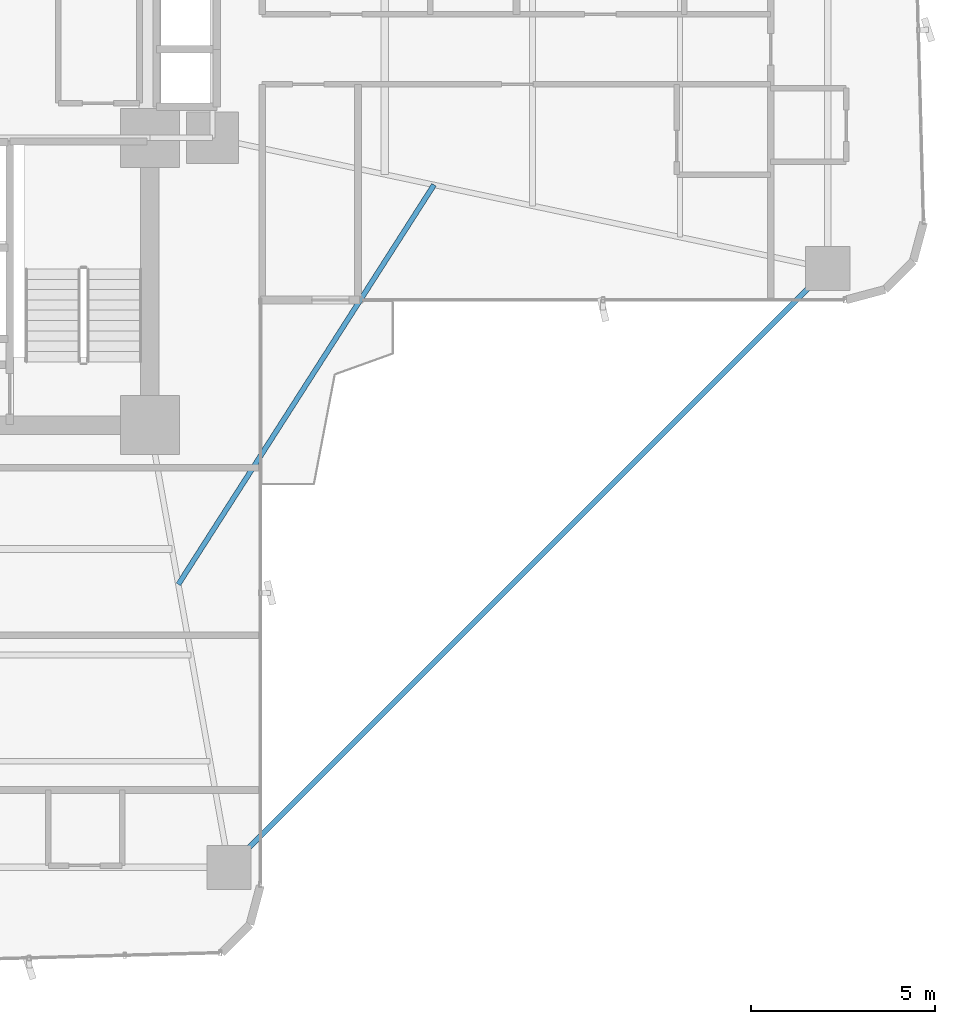
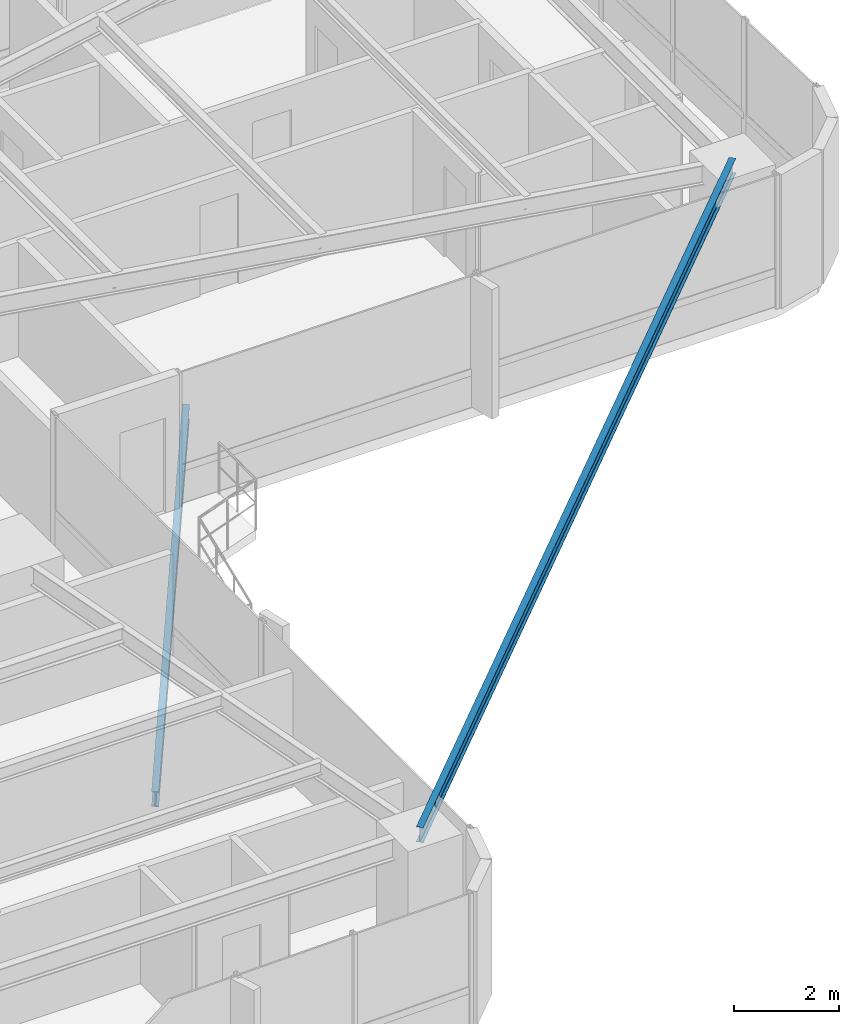
# One storey, part 13 of 25: 2 beams.
"""IFC4 building model written with IfcOpenShell, lengths in metres."""

from ifc_helpers import new_model, si_unit, direction, frame, origin, origin_2d, place, context, subcontext, project, spatial, i_section, extrude, source, transform, mapped, material, material_profile, profile_set, type_object, element, save


model = new_model("IFC4")

# Units and contexts
model_context = context("Model", 3, precision=1e-05, world=origin(), true_north=direction((0.0, 1.0)))
body_context = subcontext(model_context, "Body", "Model", "MODEL_VIEW")
ifc_project = project(units=[si_unit("LENGTHUNIT", "METRE"), si_unit("AREAUNIT", "SQUARE_METRE"), si_unit("VOLUMEUNIT", "CUBIC_METRE"), si_unit("PLANEANGLEUNIT", "RADIAN"), si_unit("MASSUNIT", "GRAM", prefix="KILO")], contexts=[model_context])

# Site, building, storey
site_placement = place(None, origin())
site = spatial("IfcSite", under=ifc_project, at=site_placement, CompositionType="ELEMENT")
building_placement = place(site_placement, origin())
building = spatial("IfcBuilding", under=site, at=building_placement, Name="Sahyath Konkavel Grand Hotel", CompositionType="ELEMENT")
storey_placement = place(building_placement, frame((0.0, 0.0, 33.14990234375)))
storey = spatial("IfcBuildingStorey", under=building, at=storey_placement, Name="L08", CompositionType="ELEMENT", Elevation=33.14990234375)

# Beams
ifc_material = material(Name="Steel E350", Category="steel")
ifc_material_profile_1 = material_profile(ifc_material, i_section(OverallWidth=0.139892578125, OverallDepth=0.35009765625, WebThickness=0.008056640625, FlangeThickness=0.01416015625, FilletRadius=0.013916015625, at=origin_2d()), Name="ISMB 350")
ifc_profile_set_1 = profile_set([ifc_material_profile_1], Name="Steel E350")
beam_type_1 = type_object("IfcBeamType", Name="BM-ISMB350", PredefinedType="BEAM", material=ifc_profile_set_1)
shared_shape_1 = source(origin(), body_context, "Body", "SweptSolid", [
    extrude(i_section(OverallWidth=0.139892578125, OverallDepth=0.35009765625, WebThickness=0.008056640625, FlangeThickness=0.01416015625, FilletRadius=0.013916015625, at=origin_2d()), origin(), (0.0, 0.0, 1.0), 22.98095703125),
])
beam_1_placement = place(storey_placement, frame((22.199951171875, -5.949951171875, 2.93505859375), z_axis=(-0.707106781187, -0.707106781187, 0.0), x_axis=(0.707106781187, -0.707106781187, 0.0)))
element("IfcBeam", 1, at=beam_1_placement, inside=storey, type_object=beam_type_1, Name="L08 Re-Entrant Tie Beam SE", PredefinedType="BEAM", context=body_context, shape_type="MappedRepresentation", body=[
    mapped(shared_shape_1, transform((0.0, 0.0, 0.0), scale=1.0)),
])
ifc_material_profile_2 = material_profile(ifc_material, i_section(OverallWidth=0.139892578125, OverallDepth=0.35009765625, WebThickness=0.008056640625, FlangeThickness=0.01416015625, FilletRadius=0.013916015625, at=origin_2d()), Name="ISMB 350")
ifc_profile_set_2 = profile_set([ifc_material_profile_2], Name="Steel E350")
beam_type_2 = type_object("IfcBeamType", Name="BM-BALC-CANT", PredefinedType="BEAM", material=ifc_profile_set_2)
shared_shape_2 = source(origin(), body_context, "Body", "SweptSolid", [
    extrude(i_section(OverallWidth=0.139892578125, OverallDepth=0.35009765625, WebThickness=0.008056640625, FlangeThickness=0.01416015625, FilletRadius=0.013916015625, at=origin_2d()), origin(), (0.0, 0.0, 1.0), 12.871826171875),
])
beam_2_placement = place(storey_placement, frame((4.573974609375, -14.52001953125, -0.414794921875), z_axis=(0.539003102535, 0.842303778608, 0.0), x_axis=(-0.842303778608, 0.539003102535, 0.0)))
element("IfcBeam", 2, at=beam_2_placement, inside=storey, type_object=beam_type_2, Name="L08 Balcony Cantilever Support Beam SE", PredefinedType="BEAM", context=body_context, shape_type="MappedRepresentation", body=[
    mapped(shared_shape_2, transform((0.0, 0.0, 0.0), scale=1.0)),
])

save(model, "model.ifc")
